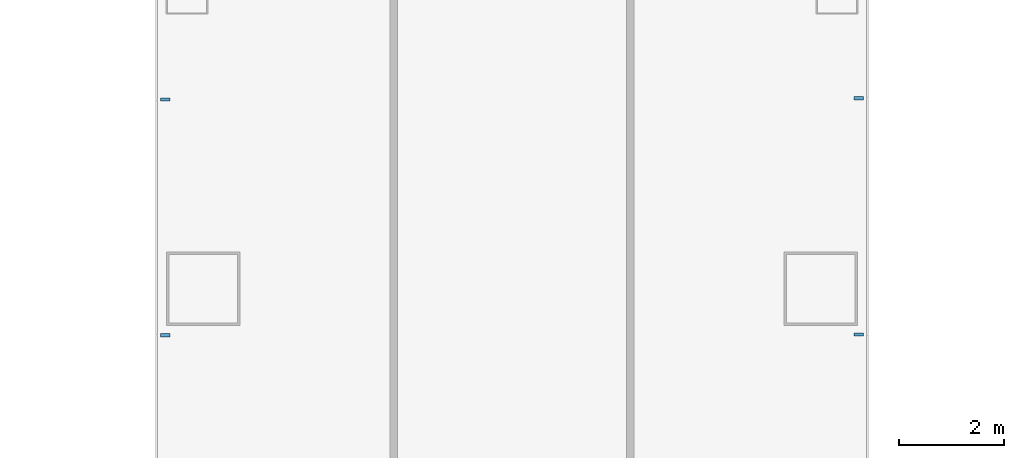
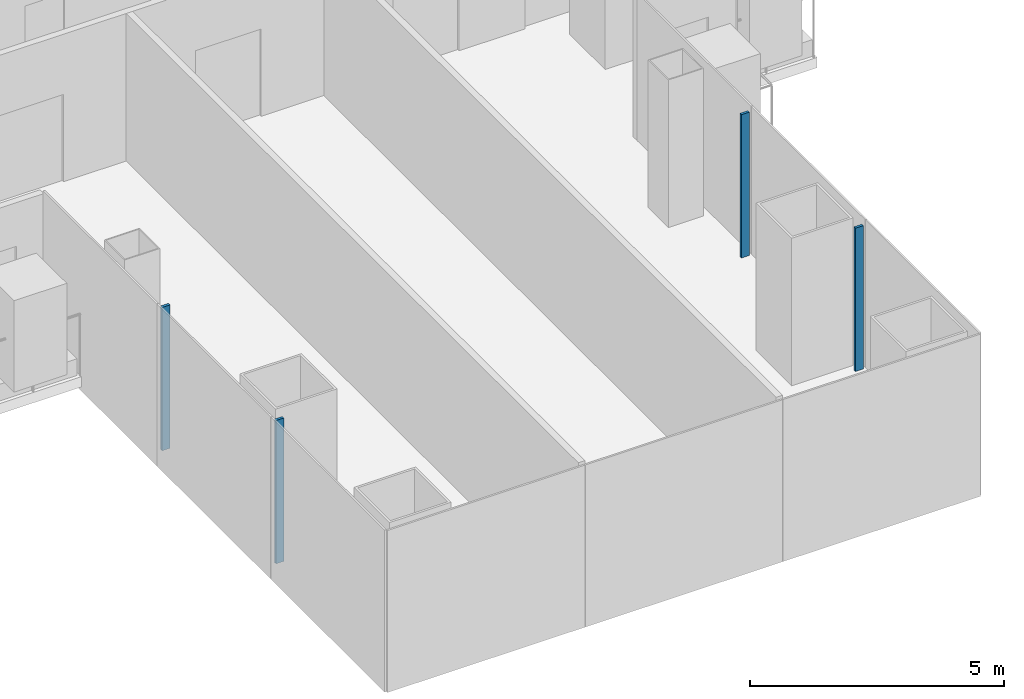
# One storey, part 3 of 21: 4 members, 2 elements without a shape of their own.
"""IFC4 building model written with IfcOpenShell, lengths in metres."""

from ifc_helpers import new_model, si_unit, direction, frame, origin, origin_2d, place, context, subcontext, project, spatial, rectangle, extrude, material, layer, layer_set, material_profile, profile_set, type_object, element, aggregate, save


model = new_model("IFC4")

# Units and contexts
model_context = context("Model", 3, precision=1e-05, world=origin(), true_north=direction((0.0, 1.0)))
body_context = subcontext(model_context, "Body", "Model", "MODEL_VIEW")
ifc_project = project(units=[si_unit("LENGTHUNIT", "METRE"), si_unit("AREAUNIT", "SQUARE_METRE"), si_unit("VOLUMEUNIT", "CUBIC_METRE"), si_unit("PLANEANGLEUNIT", "RADIAN"), si_unit("MASSUNIT", "GRAM", prefix="KILO")], contexts=[model_context])

# Site, building, storey
site_placement = place(None, origin())
site = spatial("IfcSite", under=ifc_project, at=site_placement, CompositionType="ELEMENT")
building_placement = place(site_placement, origin())
building = spatial("IfcBuilding", under=site, at=building_placement, Name="Shamsa Quay Exchange Towers", CompositionType="ELEMENT")
storey_placement = place(building_placement, frame((0.0, 0.0, 42.0)))
storey = spatial("IfcBuildingStorey", under=building, at=storey_placement, Name="L08", CompositionType="ELEMENT", Elevation=42.0)

# Curtain wall, members
ifc_material = material(Name="Aluminium EN AW-6063 T6, black anodised", Category="aluminium")
ifc_layer = layer(ifc_material, 0.280029296875)
ifc_layer_set = layer_set([ifc_layer], Name="CW-1 UNITISED VISION GLASS")
curtain_wall_type = type_object("IfcCurtainWallType", Name="CW-1 UNITISED VISION GLASS", PredefinedType="NOTDEFINED", material=ifc_layer_set)
curtain_wall_1_placement = place(storey_placement, origin())
curtain_wall_1 = element("IfcCurtainWall", 1, at=curtain_wall_1_placement, inside=storey, type_object=curtain_wall_type, Name="CW1 T1-FLK-V-W L08", PredefinedType="NOTDEFINED")
ifc_material_profile = material_profile(ifc_material, rectangle(XDim=0.179931640625, YDim=0.06005859375, at=origin_2d()), Name="MU60x180")
ifc_profile_set = profile_set([ifc_material_profile], Name="Aluminium EN AW-6063 T6, black anodised")
member_type = type_object("IfcMemberType", Name="CW1 MULLION 60x180", PredefinedType="MULLION", material=ifc_profile_set)
member_1_placement = place(storey_placement, frame((-40.35009765625, -15.775390625, 0.0)))
member_1 = element("IfcMember", 2, at=member_1_placement, type_object=member_type, Name="CW1 mullion", PredefinedType="MULLION", context=body_context, shape_type="SweptSolid", body=[
    extrude(rectangle(XDim=0.179931640625, YDim=0.06005859375, at=origin_2d()), origin(), (0.0, 0.0, 1.0), 3.449951171875),
])
member_2_placement = place(storey_placement, frame((-40.35009765625, -20.2626953125, 0.0)))
member_2 = element("IfcMember", 3, at=member_2_placement, type_object=member_type, Name="CW1 mullion", PredefinedType="MULLION", context=body_context, shape_type="SweptSolid", body=[
    extrude(rectangle(XDim=0.179931640625, YDim=0.06005859375, at=origin_2d()), origin(), (0.0, 0.0, 1.0), 3.449951171875),
])
aggregate(curtain_wall_1, [member_1, member_2])

curtain_wall_2_placement = place(storey_placement, origin())
curtain_wall_2 = element("IfcCurtainWall", 4, at=curtain_wall_2_placement, inside=storey, type_object=curtain_wall_type, Name="CW1 T1-FLK-V-E L08", PredefinedType="NOTDEFINED")
member_3_placement = place(storey_placement, frame((-27.14990234375, -20.25, 0.0), z_axis=(0.0, 0.0, 1.0), x_axis=(-1.0, 0.0, 0.0)))
member_3 = element("IfcMember", 5, at=member_3_placement, type_object=member_type, Name="CW1 mullion", PredefinedType="MULLION", context=body_context, shape_type="SweptSolid", body=[
    extrude(rectangle(XDim=0.179931640625, YDim=0.06005859375, at=origin_2d()), origin(), (0.0, 0.0, 1.0), 3.449951171875),
])
member_4_placement = place(storey_placement, frame((-27.14990234375, -15.75, 0.0), z_axis=(0.0, 0.0, 1.0), x_axis=(-1.0, 0.0, 0.0)))
member_4 = element("IfcMember", 6, at=member_4_placement, type_object=member_type, Name="CW1 mullion", PredefinedType="MULLION", context=body_context, shape_type="SweptSolid", body=[
    extrude(rectangle(XDim=0.179931640625, YDim=0.06005859375, at=origin_2d()), origin(), (0.0, 0.0, 1.0), 3.449951171875),
])
aggregate(curtain_wall_2, [member_3, member_4])

save(model, "model.ifc")
